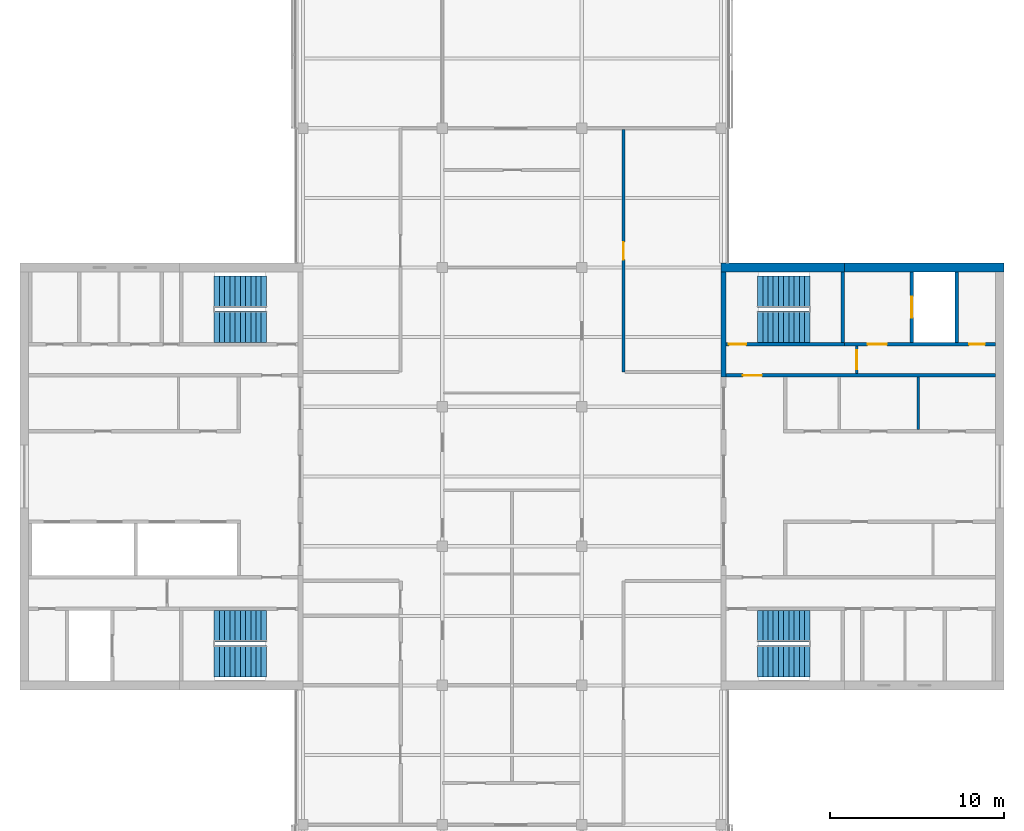
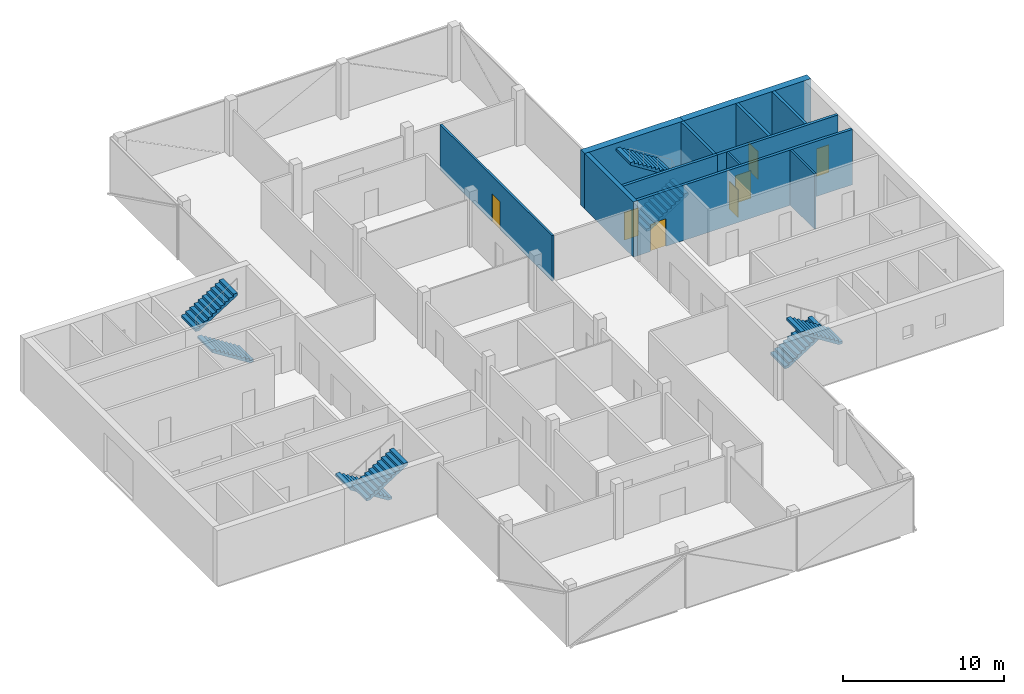
# One storey, part 12 of 15: 12 walls, 8 stair flights, 7 doors, 7 openings, 4 elements without a shape of their own.
"""IFC4 building model written with IfcOpenShell, lengths in metres."""

from ifc_helpers import new_model, si_unit, direction, frame, frame_2d, origin, place, context, subcontext, project, spatial, polyline, rectangle, outline, extrude, material, layer, layer_set, constituent, constituent_set, type_object, element, fill, aggregate, save


model = new_model("IFC4")

# Units and contexts
model_context = context("Model", 3, precision=1e-05, world=origin(), true_north=direction((0.0, 1.0)))
body_context = subcontext(model_context, "Body", "Model", "MODEL_VIEW")
ifc_project = project(units=[si_unit("LENGTHUNIT", "METRE"), si_unit("AREAUNIT", "SQUARE_METRE"), si_unit("VOLUMEUNIT", "CUBIC_METRE"), si_unit("PLANEANGLEUNIT", "RADIAN"), si_unit("MASSUNIT", "GRAM", prefix="KILO")], contexts=[model_context])

# Site, building, storey
site_placement = place(None, origin())
site = spatial("IfcSite", under=ifc_project, at=site_placement, CompositionType="ELEMENT")
building_placement = place(site_placement, origin())
building = spatial("IfcBuilding", under=site, at=building_placement, Name="Crosswind Convention Tower", CompositionType="ELEMENT")
storey_placement = place(building_placement, frame((0.0, 0.0, 315.5)))
storey = spatial("IfcBuildingStorey", under=building, at=storey_placement, Name="L68", CompositionType="ELEMENT", Elevation=315.5)

# Wall
ifc_material_1 = material(Name="Concrete C50/60", Category="concrete")
ifc_layer_1 = layer(ifc_material_1, 0.300048828125)
ifc_layer_set_1 = layer_set([ifc_layer_1], Name="Concrete C50/60")
wall_type_1 = type_object("IfcWallType", Name="Concrete inner core wall 300", PredefinedType="SHEAR", material=ifc_layer_set_1)
wall_1_placement = place(storey_placement, frame((137.14990234375, 105.699951171875, 0.0), z_axis=(0.0, 0.0, 1.0), x_axis=(0.0, 1.0, 0.0)))
element("IfcWall", 1, at=wall_1_placement, inside=storey, type_object=wall_type_1, Name="Wall EP E L68", PredefinedType="SHEAR", context=body_context, shape_type="SweptSolid", body=[
    extrude(rectangle(XDim=6.050048828125, YDim=0.300048828125, at=frame_2d((3.02490234375, 0.0))), origin(), (0.0, 0.0, 1.0), 4.199951171875),
])

# Wall, opening, door
ifc_layer_2 = layer(ifc_material_1, 0.199951171875)
ifc_layer_set_2 = layer_set([ifc_layer_2], Name="Concrete C50/60")
wall_type_2 = type_object("IfcWallType", Name="Concrete shaft and stair wall 200", PredefinedType="SHEAR", material=ifc_layer_set_2)
wall_2_placement = place(storey_placement, frame((137.300048828125, 105.800048828125, 0.0), z_axis=(0.0, 0.0, 1.0), x_axis=(1.0, 0.0, 0.0)))
wall_2 = element("IfcWall", 2, at=wall_2_placement, inside=storey, type_object=wall_type_2, Name="Wall HP E L68", PredefinedType="SHEAR", context=body_context, shape_type="SweptSolid", body=[
    extrude(rectangle(XDim=15.449951171875, YDim=0.199951171875, at=frame_2d((7.72509765625, 0.0))), origin(), (0.0, 0.0, 1.0), 4.199951171875),
])
opening_1_placement = place(wall_2_placement, frame((0.949951171875, 0.0, 0.0)))
opening_1 = element("IfcOpeningElement", 3, at=opening_1_placement, cuts=wall_2, Name="Opening D104", PredefinedType="OPENING", context=body_context, shape_type="SweptSolid", body=[
    extrude(rectangle(XDim=1.10009765625, YDim=2.10009765625, at=frame_2d((0.550048828125, 1.050048828125))), frame((0.0, 0.10986328125, 0.0), z_axis=(0.0, -1.0, 0.0), x_axis=(1.0, 0.0, 0.0)), (0.0, 0.0, 1.0), 0.219970703125),
])
ifc_material_2 = material(Name="Steel fire door", Category="steel")
door_type_1 = type_object("IfcDoorType", Name="Fire-rated single door 1100x2100", OperationType="NOTDEFINED", PredefinedType="DOOR", material=ifc_material_2)
door_1_placement = place(opening_1_placement, origin())
door_1 = element("IfcDoor", 4, at=door_1_placement, inside=storey, type_object=door_type_1, Name="Corridor door L68", ObjectType="D104", OperationType="SINGLE_SWING_LEFT", OverallHeight=2.10009765625, OverallWidth=1.10009765625, PredefinedType="DOOR", context=body_context, shape_type="SweptSolid", body=[
    extrude(rectangle(XDim=1.10009765625, YDim=2.10009765625, at=frame_2d((0.550048828125, 1.050048828125))), frame((0.0, 0.02490234375, 0.0), z_axis=(0.0, -1.0, 0.0), x_axis=(1.0, 0.0, 0.0)), (0.0, 0.0, 1.0), 0.050048828125),
])
fill(opening_1, door_1)

# Wall
wall_3_placement = place(storey_placement, frame((144.0, 107.699951171875, 0.0), z_axis=(0.0, 0.0, 1.0), x_axis=(0.0, 1.0, 0.0)))
element("IfcWall", 5, at=wall_3_placement, inside=storey, type_object=wall_type_2, Name="Wall PSE E L68", PredefinedType="SHEAR", context=body_context, shape_type="SweptSolid", body=[
    extrude(rectangle(XDim=4.050048828125, YDim=0.199951171875, at=frame_2d((2.02490234375, 0.0))), origin(), (0.0, 0.0, 1.0), 4.199951171875),
])

# Wall, opening, door
wall_4_placement = place(storey_placement, frame((147.949951171875, 107.699951171875, 0.0), z_axis=(0.0, 0.0, 1.0), x_axis=(0.0, 1.0, 0.0)))
wall_4 = element("IfcWall", 6, at=wall_4_placement, inside=storey, type_object=wall_type_2, Name="Wall PFLW E L68", PredefinedType="SHEAR", context=body_context, shape_type="SweptSolid", body=[
    extrude(rectangle(XDim=4.050048828125, YDim=0.199951171875, at=frame_2d((2.02490234375, 0.0))), origin(), (0.0, 0.0, 1.0), 4.199951171875),
])
opening_2_placement = place(wall_4_placement, frame((1.425048828125, 0.0, 0.0)))
opening_2 = element("IfcOpeningElement", 7, at=opening_2_placement, cuts=wall_4, Name="Opening LD1", PredefinedType="OPENING", context=body_context, shape_type="SweptSolid", body=[
    extrude(rectangle(XDim=1.199951171875, YDim=2.10009765625, at=frame_2d((0.60009765625, 1.050048828125))), frame((0.0, 0.10986328125, 0.0), z_axis=(0.0, -1.0, 0.0), x_axis=(1.0, 0.0, 0.0)), (0.0, 0.0, 1.0), 0.219970703125),
])
ifc_material_3 = material(Name="Stainless steel", Category="steel")
door_type_2 = type_object("IfcDoorType", Name="Lift landing door 1200x2100", OperationType="DOUBLE_DOOR_SLIDING", PredefinedType="DOOR", material=ifc_material_3)
door_2_placement = place(opening_2_placement, origin())
door_2 = element("IfcDoor", 8, at=door_2_placement, inside=storey, type_object=door_type_2, Name="Landing door FF1 L68", ObjectType="LD1", OperationType="DOUBLE_DOOR_SLIDING", OverallHeight=2.10009765625, OverallWidth=1.199951171875, PredefinedType="DOOR", context=body_context, shape_type="SweptSolid", body=[
    extrude(rectangle(XDim=1.199951171875, YDim=2.10009765625, at=frame_2d((0.60009765625, 1.050048828125))), frame((0.0, 0.02490234375, 0.0), z_axis=(0.0, -1.0, 0.0), x_axis=(1.0, 0.0, 0.0)), (0.0, 0.0, 1.0), 0.050048828125),
])
fill(opening_2, door_2)

# Wall
wall_5_placement = place(storey_placement, frame((150.550048828125, 107.699951171875, 0.0), z_axis=(0.0, 0.0, 1.0), x_axis=(0.0, 1.0, 0.0)))
element("IfcWall", 9, at=wall_5_placement, inside=storey, type_object=wall_type_2, Name="Wall PFSE E L68", PredefinedType="SHEAR", context=body_context, shape_type="SweptSolid", body=[
    extrude(rectangle(XDim=4.050048828125, YDim=0.199951171875, at=frame_2d((2.02490234375, 0.0))), origin(), (0.0, 0.0, 1.0), 4.199951171875),
])

# Wall, opening, door
wall_6_placement = place(storey_placement, frame((137.300048828125, 107.60009765625, 0.0), z_axis=(0.0, 0.0, 1.0), x_axis=(1.0, 0.0, 0.0)))
wall_6 = element("IfcWall", 10, at=wall_6_placement, inside=storey, type_object=wall_type_2, Name="Wall PCW E L68", PredefinedType="SHEAR", context=body_context, shape_type="SweptSolid", body=[
    extrude(rectangle(XDim=6.800048828125, YDim=0.199951171875, at=frame_2d((3.39990234375, 0.0))), origin(), (0.0, 0.0, 1.0), 4.199951171875),
])
opening_3_placement = place(wall_6_placement, frame((0.14990234375, 0.0, 0.0)))
opening_3 = element("IfcOpeningElement", 11, at=opening_3_placement, cuts=wall_6, Name="Opening D103", PredefinedType="OPENING", context=body_context, shape_type="SweptSolid", body=[
    extrude(rectangle(XDim=1.0, YDim=2.10009765625, at=frame_2d((0.5, 1.050048828125))), frame((0.0, 0.10986328125, 0.0), z_axis=(0.0, -1.0, 0.0), x_axis=(1.0, 0.0, 0.0)), (0.0, 0.0, 1.0), 0.219970703125),
])
door_type_3 = type_object("IfcDoorType", Name="Fire-rated single door 1000x2100", OperationType="NOTDEFINED", PredefinedType="DOOR", material=ifc_material_2)
door_3_placement = place(opening_3_placement, origin())
door_3 = element("IfcDoor", 12, at=door_3_placement, inside=storey, type_object=door_type_3, Name="Stair ST1 door L68", ObjectType="D103", OperationType="SINGLE_SWING_LEFT", OverallHeight=2.10009765625, OverallWidth=1.0, PredefinedType="DOOR", context=body_context, shape_type="SweptSolid", body=[
    extrude(rectangle(XDim=1.0, YDim=2.10009765625, at=frame_2d((0.5, 1.050048828125))), frame((0.0, 0.02490234375, 0.0), z_axis=(0.0, -1.0, 0.0), x_axis=(1.0, 0.0, 0.0)), (0.0, 0.0, 1.0), 0.050048828125),
])
fill(opening_3, door_3)

# Wall, openings, doors
wall_7_placement = place(storey_placement, frame((144.10009765625, 107.60009765625, 0.0), z_axis=(0.0, 0.0, 1.0), x_axis=(1.0, 0.0, 0.0)))
wall_7 = element("IfcWall", 13, at=wall_7_placement, inside=storey, type_object=wall_type_2, Name="Wall PCX E L68", PredefinedType="SHEAR", context=body_context, shape_type="SweptSolid", body=[
    extrude(rectangle(XDim=8.64990234375, YDim=0.199951171875, at=frame_2d((4.324951171875, 0.0))), origin(), (0.0, 0.0, 1.0), 4.199951171875),
])
opening_4_placement = place(wall_7_placement, frame((1.324951171875, 0.0, 0.0)))
opening_4 = element("IfcOpeningElement", 14, at=opening_4_placement, cuts=wall_7, Name="Opening D104", PredefinedType="OPENING", context=body_context, shape_type="SweptSolid", body=[
    extrude(rectangle(XDim=1.10009765625, YDim=2.10009765625, at=frame_2d((0.550048828125, 1.050048828125))), frame((0.0, 0.10986328125, 0.0), z_axis=(0.0, -1.0, 0.0), x_axis=(1.0, 0.0, 0.0)), (0.0, 0.0, 1.0), 0.219970703125),
])
opening_5_placement = place(wall_7_placement, frame((7.14990234375, 0.0, 0.0)))
opening_5 = element("IfcOpeningElement", 15, at=opening_5_placement, cuts=wall_7, Name="Opening D106", PredefinedType="OPENING", context=body_context, shape_type="SweptSolid", body=[
    extrude(rectangle(XDim=0.89990234375, YDim=2.10009765625, at=frame_2d((0.449951171875, 1.050048828125))), frame((0.0, 0.10986328125, 0.0), z_axis=(0.0, -1.0, 0.0), x_axis=(1.0, 0.0, 0.0)), (0.0, 0.0, 1.0), 0.219970703125),
])
door_4_placement = place(opening_4_placement, origin())
door_4 = element("IfcDoor", 16, at=door_4_placement, inside=storey, type_object=door_type_1, Name="Fire-fighting lobby FF1 door L68", ObjectType="D104", OperationType="SINGLE_SWING_RIGHT", OverallHeight=2.10009765625, OverallWidth=1.10009765625, PredefinedType="DOOR", context=body_context, shape_type="SweptSolid", body=[
    extrude(rectangle(XDim=1.10009765625, YDim=2.10009765625, at=frame_2d((0.550048828125, 1.050048828125))), frame((0.0, 0.02490234375, 0.0), z_axis=(0.0, -1.0, 0.0), x_axis=(1.0, 0.0, 0.0)), (0.0, 0.0, 1.0), 0.050048828125),
])
fill(opening_4, door_4)
ifc_material_4 = material(Name="Timber door", Category="wood")
door_type_4 = type_object("IfcDoorType", Name="Single leaf door 900x2100", OperationType="NOTDEFINED", PredefinedType="DOOR", material=ifc_material_4)
door_5_placement = place(opening_5_placement, origin())
door_5 = element("IfcDoor", 17, at=door_5_placement, inside=storey, type_object=door_type_4, Name="Door to electrical room L68", ObjectType="D106", OperationType="SINGLE_SWING_RIGHT", OverallHeight=2.10009765625, OverallWidth=0.89990234375, PredefinedType="DOOR", context=body_context, shape_type="SweptSolid", body=[
    extrude(rectangle(XDim=0.89990234375, YDim=2.10009765625, at=frame_2d((0.449951171875, 1.050048828125))), frame((0.0, 0.02490234375, 0.0), z_axis=(0.0, -1.0, 0.0), x_axis=(1.0, 0.0, 0.0)), (0.0, 0.0, 1.0), 0.050048828125),
])
fill(opening_5, door_5)

# Wall
ifc_material_5 = material(Name="Gypsum plasterboard partition", Category="gypsum")
ifc_layer_3 = layer(ifc_material_5, 0.125)
ifc_layer_set_3 = layer_set([ifc_layer_3], Name="Drywall partition wall 125")
wall_type_3 = type_object("IfcWallType", Name="Drywall partition wall 125", PredefinedType="PARTITIONING", material=ifc_layer_set_3)
wall_8_placement = place(storey_placement, frame((148.32861328125, 102.699951171875, 0.0), z_axis=(0.0, 0.0, 1.0), x_axis=(0.0, 1.0, 0.0)))
element("IfcWall", 18, at=wall_8_placement, inside=storey, type_object=wall_type_3, Name="Wall RPP2 E L68", PredefinedType="PARTITIONING", context=body_context, shape_type="SweptSolid", body=[
    extrude(rectangle(XDim=3.0, YDim=0.125, at=frame_2d((1.5, 0.0))), origin(), (0.0, 0.0, 1.0), 4.199951171875),
])

# Wall, opening, door
wall_9_placement = place(storey_placement, frame((144.800048828125, 105.89990234375, 0.0), z_axis=(0.0, 0.0, 1.0), x_axis=(0.0, 1.0, 0.0)))
wall_9 = element("IfcWall", 19, at=wall_9_placement, inside=storey, type_object=wall_type_3, Name="Wall PXC1 E L68", PredefinedType="PARTITIONING", context=body_context, shape_type="SweptSolid", body=[
    extrude(rectangle(XDim=1.60009765625, YDim=0.125, at=frame_2d((0.800048828125, 0.0))), origin(), (0.0, 0.0, 1.0), 4.199951171875),
])
opening_6_placement = place(wall_9_placement, frame((0.25, 0.0, 0.0)))
opening_6 = element("IfcOpeningElement", 20, at=opening_6_placement, cuts=wall_9, Name="Opening D104", PredefinedType="OPENING", context=body_context, shape_type="SweptSolid", body=[
    extrude(rectangle(XDim=1.10009765625, YDim=2.10009765625, at=frame_2d((0.550048828125, 1.050048828125))), frame((0.0, 0.072509765625, 0.0), z_axis=(0.0, -1.0, 0.0), x_axis=(1.0, 0.0, 0.0)), (0.0, 0.0, 1.0), 0.14501953125),
])
door_6_placement = place(opening_6_placement, origin())
door_6 = element("IfcDoor", 21, at=door_6_placement, inside=storey, type_object=door_type_1, Name="Corridor smoke door L68", ObjectType="D104", OperationType="SINGLE_SWING_RIGHT", OverallHeight=2.10009765625, OverallWidth=1.10009765625, PredefinedType="DOOR", context=body_context, shape_type="SweptSolid", body=[
    extrude(rectangle(XDim=1.10009765625, YDim=2.10009765625, at=frame_2d((0.550048828125, 1.050048828125))), frame((0.0, 0.02490234375, 0.0), z_axis=(0.0, -1.0, 0.0), x_axis=(1.0, 0.0, 0.0)), (0.0, 0.0, 1.0), 0.050048828125),
])
fill(opening_6, door_6)

ifc_material_6 = material(Name="Fire-board partition with mineral wool", Category="gypsum")
ifc_layer_4 = layer(ifc_material_6, 0.14990234375)
ifc_layer_set_4 = layer_set([ifc_layer_4], Name="TENANCY WALL 150 TWO-HOUR BOARD")
wall_type_4 = type_object("IfcWallType", Name="TENANCY WALL 150 TWO-HOUR BOARD", PredefinedType="PARTITIONING", material=ifc_layer_set_4)
wall_10_placement = place(storey_placement, frame((131.39990234375, 106.0, 0.0), z_axis=(0.0, 0.0, 1.0), x_axis=(0.0, 1.0, 0.0)))
wall_10 = element("IfcWall", 22, at=wall_10_placement, inside=storey, type_object=wall_type_4, Name="Tenancy wall WT41", PredefinedType="PARTITIONING", context=body_context, shape_type="SweptSolid", body=[
    extrude(rectangle(XDim=13.925048828125, YDim=0.14990234375, at=frame_2d((6.96240234375, 0.0))), origin(), (0.0, 0.0, 1.0), 3.44287109375),
])
opening_7_placement = place(wall_10_placement, frame((6.449951171875, 0.0, 0.0)))
opening_7 = element("IfcOpeningElement", 23, at=opening_7_placement, cuts=wall_10, Name="Opening L68-50", PredefinedType="OPENING", context=body_context, shape_type="SweptSolid", body=[
    extrude(rectangle(XDim=1.0, YDim=2.10009765625, at=frame_2d((0.5, 1.050048828125))), frame((0.0, 0.0849609375, 0.0), z_axis=(0.0, -1.0, 0.0), x_axis=(1.0, 0.0, 0.0)), (0.0, 0.0, 1.0), 0.169921875),
])
ifc_material_7 = material(Name="Timber fire door", Category="wood")
door_type_5 = type_object("IfcDoorType", Name="TENANCY ENTRANCE DOOR 1000X2100 FD30S", OperationType="NOTDEFINED", PredefinedType="DOOR", material=ifc_material_7)
door_7_placement = place(opening_7_placement, frame((1.0, 0.0, 0.0), z_axis=(0.0, 0.0, 1.0), x_axis=(-1.0, 0.0, 0.0)))
door_7 = element("IfcDoor", 24, at=door_7_placement, inside=storey, type_object=door_type_5, Name="Door L68-50", ObjectType="D41", OperationType="SINGLE_SWING_LEFT", OverallHeight=2.10009765625, OverallWidth=1.0, PredefinedType="DOOR", context=body_context, shape_type="SweptSolid", body=[
    extrude(rectangle(XDim=1.0, YDim=2.10009765625, at=frame_2d((0.5, 1.050048828125))), frame((0.0, 0.02490234375, 0.0), z_axis=(0.0, -1.0, 0.0), x_axis=(1.0, 0.0, 0.0)), (0.0, 0.0, 1.0), 0.050048828125),
])
fill(opening_7, door_7)

# Walls
ifc_material_8 = material(Name="Concrete C60/75", Category="concrete")
ifc_constituent_1 = constituent(ifc_material_8, Name="Structure")
ifc_material_9 = material(Name="Terracotta rainscreen", Category="ceramic")
ifc_constituent_2 = constituent(ifc_material_9, Name="Facing")
ifc_constituent_set = constituent_set(constituents=[ifc_constituent_1, ifc_constituent_2], Name="Concrete C60/75, Terracotta rainscreen")
wall_type_5 = type_object("IfcWallType", Name="Terracotta rainscreen on concrete core wall 500", PredefinedType="SHEAR", material=ifc_constituent_set)
wall_11_placement = place(storey_placement, frame((137.0, 112.0, 0.0), z_axis=(0.0, 0.0, 1.0), x_axis=(1.0, 0.0, 0.0)))
element("IfcWall", 25, at=wall_11_placement, inside=storey, type_object=wall_type_5, Name="Wall N1 E L68", PredefinedType="SHEAR", context=body_context, shape_type="SweptSolid", body=[
    extrude(rectangle(XDim=7.10009765625, YDim=0.5, at=frame_2d((3.550048828125, 0.0))), origin(), (0.0, 0.0, 1.0), 4.199951171875),
])
wall_12_placement = place(storey_placement, frame((144.10009765625, 112.0, 0.0), z_axis=(0.0, 0.0, 1.0), x_axis=(1.0, 0.0, 0.0)))
element("IfcWall", 26, at=wall_12_placement, inside=storey, type_object=wall_type_5, Name="Wall N2 E L68", PredefinedType="SHEAR", context=body_context, shape_type="SweptSolid", body=[
    extrude(rectangle(XDim=9.14990234375, YDim=0.5, at=frame_2d((4.574951171875, 0.0))), origin(), (0.0, 0.0, 1.0), 4.199951171875),
])

# Stair, stair flights
ifc_material_10 = material(Name="Concrete C40/50", Category="concrete")
stair_type = type_object("IfcStairType", Name="Exit stair 1800 wide, 2 flights of 11 risers", PredefinedType="HALF_TURN_STAIR", material=ifc_material_10)
stair_1_placement = place(storey_placement, origin())
stair_1 = element("IfcStair", 27, at=stair_1_placement, inside=storey, type_object=stair_type, Name="Exit stair ST1 L68", ObjectType="ST5", PredefinedType="HALF_TURN_STAIR")
stair_flight_type = type_object("IfcStairFlightType", Name="Stair flight 1800 wide, 11 risers (SF4)", PredefinedType="STRAIGHT", material=ifc_material_10)
stair_flight_1_placement = place(storey_placement, frame((139.10009765625, 108.60009765625, 0.0), z_axis=(0.0, 0.0, 1.0), x_axis=(1.0, 0.0, 0.0)))
stair_flight_1 = element("IfcStairFlight", 28, at=stair_flight_1_placement, type_object=stair_flight_type, Name="ST1 flight 1", NumberOfRisers=11, NumberOfTreads=10, PredefinedType="STRAIGHT", RiserHeight=0.190909091, TreadLength=0.3, context=body_context, shape_type="SweptSolid", body=[
    extrude(outline(polyline([(0.0, 0.0), (0.0, 0.19091796875), (0.300048828125, 0.19091796875), (0.300048828125, 0.3818359375), (0.60009765625, 0.3818359375), (0.60009765625, 0.57275390625), (0.89990234375, 0.57275390625), (0.89990234375, 0.763671875), (1.199951171875, 0.763671875), (1.199951171875, 0.95458984375), (1.5, 0.95458984375), (1.5, 1.1455078125), (1.800048828125, 1.1455078125), (1.800048828125, 1.33642578125), (2.10009765625, 1.33642578125), (2.10009765625, 1.52734375), (2.39990234375, 1.52734375), (2.39990234375, 1.71826171875), (2.699951171875, 1.71826171875), (2.699951171875, 1.9091796875), (3.0, 1.9091796875), (3.0, 2.10009765625), (3.0, 1.7314453125), (0.279296875, 0.0), (0.0, 0.0)])), frame((0.0, 0.89990234375, 0.0), z_axis=(0.0, -1.0, 0.0), x_axis=(1.0, 0.0, 0.0)), (0.0, 0.0, 1.0), 1.800048828125),
])
stair_flight_2_placement = place(storey_placement, frame((142.10009765625, 110.60009765625, 2.10009765625), z_axis=(0.0, 0.0, 1.0), x_axis=(-1.0, 0.0, 0.0)))
stair_flight_2 = element("IfcStairFlight", 29, at=stair_flight_2_placement, type_object=stair_flight_type, Name="ST1 flight 2", NumberOfRisers=11, NumberOfTreads=10, PredefinedType="STRAIGHT", RiserHeight=0.190909091, TreadLength=0.3, context=body_context, shape_type="SweptSolid", body=[
    extrude(outline(polyline([(0.0, 0.0), (0.0, 0.19091796875), (0.300048828125, 0.19091796875), (0.300048828125, 0.3818359375), (0.60009765625, 0.3818359375), (0.60009765625, 0.57275390625), (0.89990234375, 0.57275390625), (0.89990234375, 0.763671875), (1.199951171875, 0.763671875), (1.199951171875, 0.95458984375), (1.5, 0.95458984375), (1.5, 1.1455078125), (1.800048828125, 1.1455078125), (1.800048828125, 1.33642578125), (2.10009765625, 1.33642578125), (2.10009765625, 1.52734375), (2.39990234375, 1.52734375), (2.39990234375, 1.71826171875), (2.699951171875, 1.71826171875), (2.699951171875, 1.9091796875), (3.0, 1.9091796875), (3.0, 2.10009765625), (3.0, 1.7314453125), (0.279296875, 0.0), (0.0, 0.0)])), frame((0.0, 0.89990234375, 0.0), z_axis=(0.0, -1.0, 0.0), x_axis=(1.0, 0.0, 0.0)), (0.0, 0.0, 1.0), 1.800048828125),
])
aggregate(stair_1, [stair_flight_1, stair_flight_2])

stair_2_placement = place(storey_placement, origin())
stair_2 = element("IfcStair", 30, at=stair_2_placement, inside=storey, type_object=stair_type, Name="Exit stair ST2 L68", ObjectType="ST5", PredefinedType="HALF_TURN_STAIR")
stair_flight_3_placement = place(storey_placement, frame((139.10009765625, 91.39990234375, 0.0), z_axis=(0.0, 0.0, 1.0), x_axis=(1.0, 0.0, 0.0)))
stair_flight_3 = element("IfcStairFlight", 31, at=stair_flight_3_placement, type_object=stair_flight_type, Name="ST2 flight 1", NumberOfRisers=11, NumberOfTreads=10, PredefinedType="STRAIGHT", RiserHeight=0.190909091, TreadLength=0.3, context=body_context, shape_type="SweptSolid", body=[
    extrude(outline(polyline([(0.0, 0.0), (0.0, 0.19091796875), (0.300048828125, 0.19091796875), (0.300048828125, 0.3818359375), (0.60009765625, 0.3818359375), (0.60009765625, 0.57275390625), (0.89990234375, 0.57275390625), (0.89990234375, 0.763671875), (1.199951171875, 0.763671875), (1.199951171875, 0.95458984375), (1.5, 0.95458984375), (1.5, 1.1455078125), (1.800048828125, 1.1455078125), (1.800048828125, 1.33642578125), (2.10009765625, 1.33642578125), (2.10009765625, 1.52734375), (2.39990234375, 1.52734375), (2.39990234375, 1.71826171875), (2.699951171875, 1.71826171875), (2.699951171875, 1.9091796875), (3.0, 1.9091796875), (3.0, 2.10009765625), (3.0, 1.7314453125), (0.279296875, 0.0), (0.0, 0.0)])), frame((0.0, 0.89990234375, 0.0), z_axis=(0.0, -1.0, 0.0), x_axis=(1.0, 0.0, 0.0)), (0.0, 0.0, 1.0), 1.800048828125),
])
stair_flight_4_placement = place(storey_placement, frame((142.10009765625, 89.39990234375, 2.10009765625), z_axis=(0.0, 0.0, 1.0), x_axis=(-1.0, 0.0, 0.0)))
stair_flight_4 = element("IfcStairFlight", 32, at=stair_flight_4_placement, type_object=stair_flight_type, Name="ST2 flight 2", NumberOfRisers=11, NumberOfTreads=10, PredefinedType="STRAIGHT", RiserHeight=0.190909091, TreadLength=0.3, context=body_context, shape_type="SweptSolid", body=[
    extrude(outline(polyline([(0.0, 0.0), (0.0, 0.19091796875), (0.300048828125, 0.19091796875), (0.300048828125, 0.3818359375), (0.60009765625, 0.3818359375), (0.60009765625, 0.57275390625), (0.89990234375, 0.57275390625), (0.89990234375, 0.763671875), (1.199951171875, 0.763671875), (1.199951171875, 0.95458984375), (1.5, 0.95458984375), (1.5, 1.1455078125), (1.800048828125, 1.1455078125), (1.800048828125, 1.33642578125), (2.10009765625, 1.33642578125), (2.10009765625, 1.52734375), (2.39990234375, 1.52734375), (2.39990234375, 1.71826171875), (2.699951171875, 1.71826171875), (2.699951171875, 1.9091796875), (3.0, 1.9091796875), (3.0, 2.10009765625), (3.0, 1.7314453125), (0.279296875, 0.0), (0.0, 0.0)])), frame((0.0, 0.89990234375, 0.0), z_axis=(0.0, -1.0, 0.0), x_axis=(1.0, 0.0, 0.0)), (0.0, 0.0, 1.0), 1.800048828125),
])
aggregate(stair_2, [stair_flight_3, stair_flight_4])

stair_3_placement = place(storey_placement, origin())
stair_3 = element("IfcStair", 33, at=stair_3_placement, inside=storey, type_object=stair_type, Name="Exit stair ST3 L68", ObjectType="ST5", PredefinedType="HALF_TURN_STAIR")
stair_flight_5_placement = place(storey_placement, frame((110.89990234375, 91.39990234375, 0.0), z_axis=(0.0, 0.0, 1.0), x_axis=(-1.0, 0.0, 0.0)))
stair_flight_5 = element("IfcStairFlight", 34, at=stair_flight_5_placement, type_object=stair_flight_type, Name="ST3 flight 1", NumberOfRisers=11, NumberOfTreads=10, PredefinedType="STRAIGHT", RiserHeight=0.190909091, TreadLength=0.3, context=body_context, shape_type="SweptSolid", body=[
    extrude(outline(polyline([(0.0, 0.0), (0.0, 0.19091796875), (0.300048828125, 0.19091796875), (0.300048828125, 0.3818359375), (0.60009765625, 0.3818359375), (0.60009765625, 0.57275390625), (0.89990234375, 0.57275390625), (0.89990234375, 0.763671875), (1.199951171875, 0.763671875), (1.199951171875, 0.95458984375), (1.5, 0.95458984375), (1.5, 1.1455078125), (1.800048828125, 1.1455078125), (1.800048828125, 1.33642578125), (2.10009765625, 1.33642578125), (2.10009765625, 1.52734375), (2.39990234375, 1.52734375), (2.39990234375, 1.71826171875), (2.699951171875, 1.71826171875), (2.699951171875, 1.9091796875), (3.0, 1.9091796875), (3.0, 2.10009765625), (3.0, 1.7314453125), (0.279296875, 0.0), (0.0, 0.0)])), frame((0.0, 0.89990234375, 0.0), z_axis=(0.0, -1.0, 0.0), x_axis=(1.0, 0.0, 0.0)), (0.0, 0.0, 1.0), 1.800048828125),
])
stair_flight_6_placement = place(storey_placement, frame((107.89990234375, 89.39990234375, 2.10009765625), z_axis=(0.0, 0.0, 1.0), x_axis=(1.0, 0.0, 0.0)))
stair_flight_6 = element("IfcStairFlight", 35, at=stair_flight_6_placement, type_object=stair_flight_type, Name="ST3 flight 2", NumberOfRisers=11, NumberOfTreads=10, PredefinedType="STRAIGHT", RiserHeight=0.190909091, TreadLength=0.3, context=body_context, shape_type="SweptSolid", body=[
    extrude(outline(polyline([(0.0, 0.0), (0.0, 0.19091796875), (0.300048828125, 0.19091796875), (0.300048828125, 0.3818359375), (0.60009765625, 0.3818359375), (0.60009765625, 0.57275390625), (0.89990234375, 0.57275390625), (0.89990234375, 0.763671875), (1.199951171875, 0.763671875), (1.199951171875, 0.95458984375), (1.5, 0.95458984375), (1.5, 1.1455078125), (1.800048828125, 1.1455078125), (1.800048828125, 1.33642578125), (2.10009765625, 1.33642578125), (2.10009765625, 1.52734375), (2.39990234375, 1.52734375), (2.39990234375, 1.71826171875), (2.699951171875, 1.71826171875), (2.699951171875, 1.9091796875), (3.0, 1.9091796875), (3.0, 2.10009765625), (3.0, 1.7314453125), (0.279296875, 0.0), (0.0, 0.0)])), frame((0.0, 0.89990234375, 0.0), z_axis=(0.0, -1.0, 0.0), x_axis=(1.0, 0.0, 0.0)), (0.0, 0.0, 1.0), 1.800048828125),
])
aggregate(stair_3, [stair_flight_5, stair_flight_6])

stair_4_placement = place(storey_placement, origin())
stair_4 = element("IfcStair", 36, at=stair_4_placement, inside=storey, type_object=stair_type, Name="Exit stair ST4 L68", ObjectType="ST5", PredefinedType="HALF_TURN_STAIR")
stair_flight_7_placement = place(storey_placement, frame((110.89990234375, 108.60009765625, 0.0), z_axis=(0.0, 0.0, 1.0), x_axis=(-1.0, 0.0, 0.0)))
stair_flight_7 = element("IfcStairFlight", 37, at=stair_flight_7_placement, type_object=stair_flight_type, Name="ST4 flight 1", NumberOfRisers=11, NumberOfTreads=10, PredefinedType="STRAIGHT", RiserHeight=0.190909091, TreadLength=0.3, context=body_context, shape_type="SweptSolid", body=[
    extrude(outline(polyline([(0.0, 0.0), (0.0, 0.19091796875), (0.300048828125, 0.19091796875), (0.300048828125, 0.3818359375), (0.60009765625, 0.3818359375), (0.60009765625, 0.57275390625), (0.89990234375, 0.57275390625), (0.89990234375, 0.763671875), (1.199951171875, 0.763671875), (1.199951171875, 0.95458984375), (1.5, 0.95458984375), (1.5, 1.1455078125), (1.800048828125, 1.1455078125), (1.800048828125, 1.33642578125), (2.10009765625, 1.33642578125), (2.10009765625, 1.52734375), (2.39990234375, 1.52734375), (2.39990234375, 1.71826171875), (2.699951171875, 1.71826171875), (2.699951171875, 1.9091796875), (3.0, 1.9091796875), (3.0, 2.10009765625), (3.0, 1.7314453125), (0.279296875, 0.0), (0.0, 0.0)])), frame((0.0, 0.89990234375, 0.0), z_axis=(0.0, -1.0, 0.0), x_axis=(1.0, 0.0, 0.0)), (0.0, 0.0, 1.0), 1.800048828125),
])
stair_flight_8_placement = place(storey_placement, frame((107.89990234375, 110.60009765625, 2.10009765625), z_axis=(0.0, 0.0, 1.0), x_axis=(1.0, 0.0, 0.0)))
stair_flight_8 = element("IfcStairFlight", 38, at=stair_flight_8_placement, type_object=stair_flight_type, Name="ST4 flight 2", NumberOfRisers=11, NumberOfTreads=10, PredefinedType="STRAIGHT", RiserHeight=0.190909091, TreadLength=0.3, context=body_context, shape_type="SweptSolid", body=[
    extrude(outline(polyline([(0.0, 0.0), (0.0, 0.19091796875), (0.300048828125, 0.19091796875), (0.300048828125, 0.3818359375), (0.60009765625, 0.3818359375), (0.60009765625, 0.57275390625), (0.89990234375, 0.57275390625), (0.89990234375, 0.763671875), (1.199951171875, 0.763671875), (1.199951171875, 0.95458984375), (1.5, 0.95458984375), (1.5, 1.1455078125), (1.800048828125, 1.1455078125), (1.800048828125, 1.33642578125), (2.10009765625, 1.33642578125), (2.10009765625, 1.52734375), (2.39990234375, 1.52734375), (2.39990234375, 1.71826171875), (2.699951171875, 1.71826171875), (2.699951171875, 1.9091796875), (3.0, 1.9091796875), (3.0, 2.10009765625), (3.0, 1.7314453125), (0.279296875, 0.0), (0.0, 0.0)])), frame((0.0, 0.89990234375, 0.0), z_axis=(0.0, -1.0, 0.0), x_axis=(1.0, 0.0, 0.0)), (0.0, 0.0, 1.0), 1.800048828125),
])
aggregate(stair_4, [stair_flight_7, stair_flight_8])

save(model, "model.ifc")
